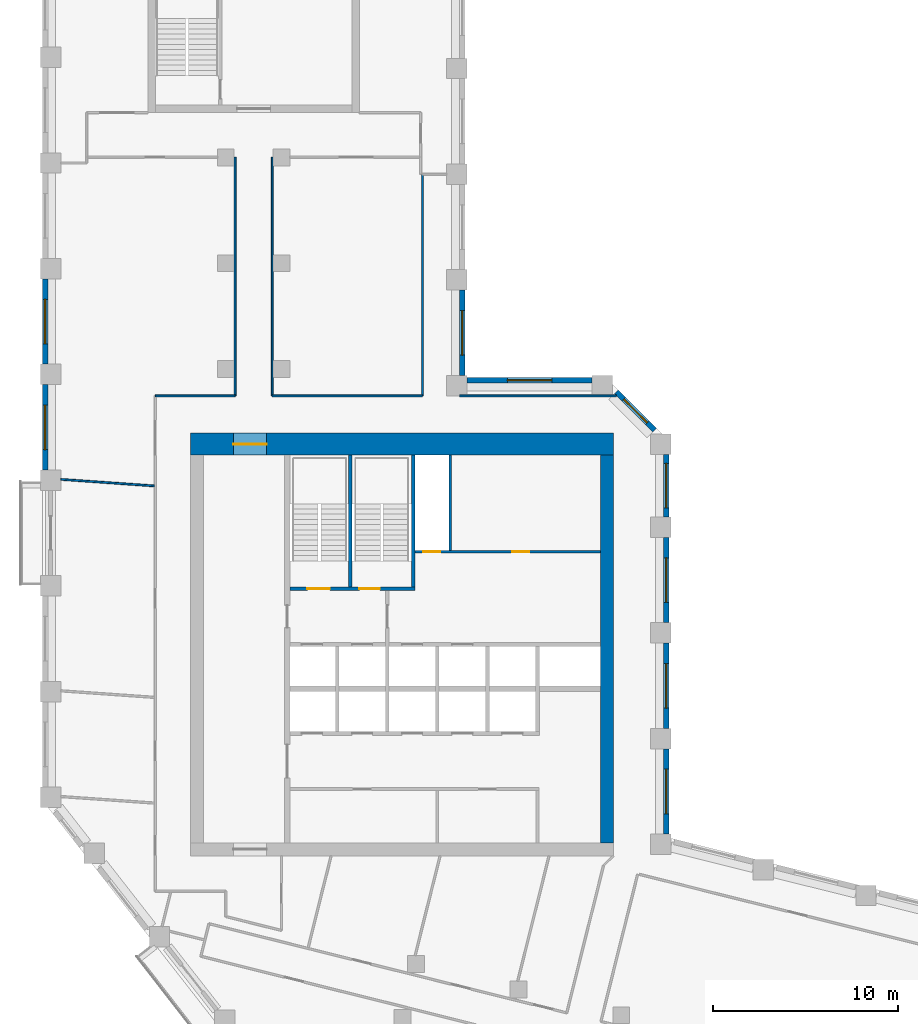
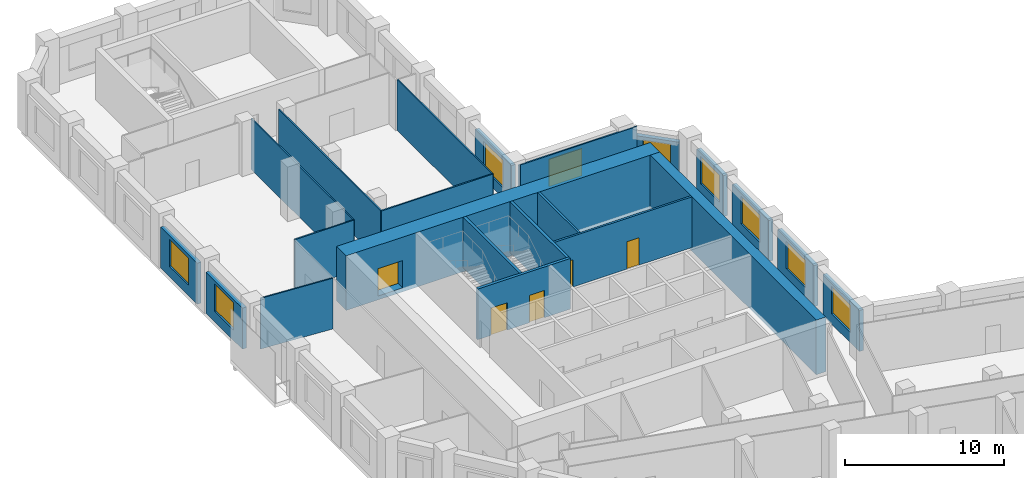
# One storey, part 6 of 10: 23 walls, 9 windows, 5 doors, 14 openings.
"""IFC4 building model written with IfcOpenShell, lengths in metres."""

from ifc_helpers import new_model, si_unit, direction, frame, frame_2d, origin, place, context, subcontext, project, spatial, rectangle, extrude, material, layer, layer_set, type_object, element, fill, save


model = new_model("IFC4")

# Units and contexts
model_context = context("Model", 3, precision=1e-05, world=origin(), true_north=direction((0.0, 1.0)))
body_context = subcontext(model_context, "Body", "Model", "MODEL_VIEW")
ifc_project = project(units=[si_unit("LENGTHUNIT", "METRE"), si_unit("AREAUNIT", "SQUARE_METRE"), si_unit("VOLUMEUNIT", "CUBIC_METRE"), si_unit("PLANEANGLEUNIT", "RADIAN"), si_unit("MASSUNIT", "GRAM", prefix="KILO")], contexts=[model_context])

# Site, building, storey
site_placement = place(None, origin())
site = spatial("IfcSite", under=ifc_project, at=site_placement, CompositionType="ELEMENT")
building_placement = place(site_placement, origin())
building = spatial("IfcBuilding", under=site, at=building_placement, Name="Meshkara Civic Tower", CompositionType="ELEMENT")
storey_placement = place(building_placement, frame((0.0, 0.0, 271.800048828125)))
storey = spatial("IfcBuildingStorey", under=building, at=storey_placement, Name="L62", CompositionType="ELEMENT", Elevation=271.800048828125)

# Wall, openings, doors
ifc_material_1 = material(Name="Blockwork", Category="masonry")
ifc_layer_1 = layer(ifc_material_1, 0.14990234375)
ifc_layer_set_1 = layer_set([ifc_layer_1], Name="Core partition 150")
wall_type_1 = type_object("IfcWallType", Name="Core partition 150", PredefinedType="PARTITIONING", material=ifc_layer_set_1)
wall_1_placement = place(storey_placement, frame((20.10009765625, 30.5, 0.0), z_axis=(0.0, 0.0, 1.0), x_axis=(1.0, 0.0, 0.0)))
wall_1 = element("IfcWall", 1, at=wall_1_placement, inside=storey, type_object=wall_type_1, Name="L62-C010", PredefinedType="PARTITIONING", context=body_context, shape_type="SweptSolid", body=[
    extrude(rectangle(XDim=10.0, YDim=0.14990234375, at=frame_2d((5.0, 0.0))), origin(), (0.0, 0.0, 1.0), 3.89990234375),
])
opening_1_placement = place(wall_1_placement, frame((0.449951171875, 0.0, 0.0)))
opening_1 = element("IfcOpeningElement", 2, at=opening_1_placement, cuts=wall_1, Name="Opening L62-K012", PredefinedType="OPENING", context=body_context, shape_type="SweptSolid", body=[
    extrude(rectangle(XDim=0.89990234375, YDim=2.10009765625, at=frame_2d((0.449951171875, 1.050048828125))), frame((0.0, 0.0849609375, 0.0), z_axis=(0.0, -1.0, 0.0), x_axis=(1.0, 0.0, 0.0)), (0.0, 0.0, 1.0), 0.169921875),
])
opening_2_placement = place(wall_1_placement, frame((5.25, 0.0, 0.0)))
opening_2 = element("IfcOpeningElement", 3, at=opening_2_placement, cuts=wall_1, Name="Opening L62-K013", PredefinedType="OPENING", context=body_context, shape_type="SweptSolid", body=[
    extrude(rectangle(XDim=0.89990234375, YDim=2.10009765625, at=frame_2d((0.449951171875, 1.050048828125))), frame((0.0, 0.0849609375, 0.0), z_axis=(0.0, -1.0, 0.0), x_axis=(1.0, 0.0, 0.0)), (0.0, 0.0, 1.0), 0.169921875),
])
ifc_material_2 = material(Name="Timber door leaf in steel frame", Category="steel")
door_type_1 = type_object("IfcDoorType", Name="Core room door 900", OperationType="SINGLE_SWING_LEFT", PredefinedType="DOOR", material=ifc_material_2)
door_1_placement = place(opening_2_placement, origin())
door_1 = element("IfcDoor", 4, at=door_1_placement, inside=storey, type_object=door_type_1, Name="L62-K013", OperationType="SINGLE_SWING_LEFT", OverallHeight=2.10009765625, OverallWidth=0.89990234375, PredefinedType="DOOR", context=body_context, shape_type="SweptSolid", body=[
    extrude(rectangle(XDim=0.89990234375, YDim=2.10009765625, at=frame_2d((0.449951171875, 1.050048828125))), frame((0.0, 0.02490234375, 0.0), z_axis=(0.0, -1.0, 0.0), x_axis=(1.0, 0.0, 0.0)), (0.0, 0.0, 1.0), 0.050048828125),
])
fill(opening_2, door_1)
ifc_material_3 = material(Name="Fire-rated door leaf in steel frame", Category="steel")
door_type_2 = type_object("IfcDoorType", Name="Riser door 900", OperationType="SINGLE_SWING_LEFT", PredefinedType="DOOR", material=ifc_material_3)
door_2_placement = place(opening_1_placement, origin())
door_2 = element("IfcDoor", 5, at=door_2_placement, inside=storey, type_object=door_type_2, Name="L62-K012", OperationType="SINGLE_SWING_RIGHT", OverallHeight=2.10009765625, OverallWidth=0.89990234375, PredefinedType="DOOR", context=body_context, shape_type="SweptSolid", body=[
    extrude(rectangle(XDim=0.89990234375, YDim=2.10009765625, at=frame_2d((0.449951171875, 1.050048828125))), frame((0.0, 0.02490234375, 0.0), z_axis=(0.0, -1.0, 0.0), x_axis=(1.0, 0.0, 0.0)), (0.0, 0.0, 1.0), 0.050048828125),
])
fill(opening_1, door_2)

# Wall
wall_2_placement = place(storey_placement, frame((22.0, 30.574951171875, 0.0), z_axis=(0.0, 0.0, 1.0), x_axis=(0.0, 1.0, 0.0)))
element("IfcWall", 6, at=wall_2_placement, inside=storey, type_object=wall_type_1, Name="L62-C018", PredefinedType="PARTITIONING", context=body_context, shape_type="SweptSolid", body=[
    extrude(rectangle(XDim=5.125, YDim=0.14990234375, at=frame_2d((2.5625, 0.0))), origin(), (0.0, 0.0, 1.0), 3.89990234375),
])

# Wall, opening, door
ifc_material_4 = material(Name="Concrete C60", Category="concrete")
ifc_layer_2 = layer(ifc_material_4, 1.199951171875)
ifc_layer_set_2 = layer_set([ifc_layer_2], Name="Core ring wall 1200 C60")
wall_type_2 = type_object("IfcWallType", Name="Core ring wall 1200 C60", PredefinedType="SHEAR", material=ifc_layer_set_2)
wall_3_placement = place(storey_placement, frame((8.0, 36.300048828125, -0.300048828125), z_axis=(0.0, 0.0, 1.0), x_axis=(1.0, 0.0, 0.0)))
wall_3 = element("IfcWall", 7, at=wall_3_placement, inside=storey, type_object=wall_type_2, Name="L62-C002", PredefinedType="SHEAR", context=body_context, shape_type="SweptSolid", body=[
    extrude(rectangle(XDim=22.800048828125, YDim=1.199951171875, at=frame_2d((11.39990234375, 0.0))), origin(), (0.0, 0.0, 1.0), 4.199951171875),
])
opening_3_placement = place(wall_3_placement, frame((2.300048828125, 0.0, 0.300048828125)))
opening_3 = element("IfcOpeningElement", 8, at=opening_3_placement, cuts=wall_3, Name="Opening L62-K019", PredefinedType="OPENING", context=body_context, shape_type="SweptSolid", body=[
    extrude(rectangle(XDim=1.800048828125, YDim=2.10009765625, at=frame_2d((0.89990234375, 1.050048828125))), frame((0.0, 0.60986328125, 0.0), z_axis=(0.0, -1.0, 0.0), x_axis=(1.0, 0.0, 0.0)), (0.0, 0.0, 1.0), 1.219970703125),
])
ifc_material_5 = material(Name="Fire-rated door leaf in steel frame", Category="steel")
door_type_3 = type_object("IfcDoorType", Name="Core double door 1800 EI 60", OperationType="DOUBLE_DOOR_SINGLE_SWING", PredefinedType="DOOR", material=ifc_material_5)
door_3_placement = place(opening_3_placement, origin())
door_3 = element("IfcDoor", 9, at=door_3_placement, inside=storey, type_object=door_type_3, Name="L62-K019", OperationType="DOUBLE_DOOR_SINGLE_SWING", OverallHeight=2.10009765625, OverallWidth=1.800048828125, PredefinedType="DOOR", context=body_context, shape_type="SweptSolid", body=[
    extrude(rectangle(XDim=1.800048828125, YDim=2.10009765625, at=frame_2d((0.89990234375, 1.050048828125))), frame((0.0, 0.02490234375, 0.0), z_axis=(0.0, -1.0, 0.0), x_axis=(1.0, 0.0, 0.0)), (0.0, 0.0, 1.0), 0.050048828125),
])
fill(opening_3, door_3)

# Walls
ifc_material_6 = material(Name="Concrete C60", Category="concrete")
ifc_layer_3 = layer(ifc_material_6, 0.699951171875)
ifc_layer_set_3 = layer_set([ifc_layer_3], Name="Core ring wall 700 C60")
wall_type_3 = type_object("IfcWallType", Name="Core ring wall 700 C60", PredefinedType="SHEAR", material=ifc_layer_set_3)
wall_4_placement = place(storey_placement, frame((30.449951171875, 14.800048828125, -0.300048828125), z_axis=(0.0, 0.0, 1.0), x_axis=(0.0, 1.0, 0.0)))
element("IfcWall", 10, at=wall_4_placement, inside=storey, type_object=wall_type_3, Name="L62-C004", PredefinedType="SHEAR", context=body_context, shape_type="SweptSolid", body=[
    extrude(rectangle(XDim=20.89990234375, YDim=0.699951171875, at=frame_2d((10.449951171875, 0.0))), origin(), (0.0, 0.0, 1.0), 4.199951171875),
])
ifc_material_7 = material(Name="Corridor wall 100")
ifc_layer_4 = layer(ifc_material_7, 0.10009765625)
ifc_layer_set_4 = layer_set([ifc_layer_4], Name="Corridor wall 100")
wall_type_4 = type_object("IfcWallType", Name="Corridor wall 100", PredefinedType="PARTITIONING", material=ifc_layer_set_4)
wall_5_placement = place(storey_placement, frame((10.39990234375, 38.89990234375, 0.0), z_axis=(0.0, 0.0, 1.0), x_axis=(-1.0, 0.0, 0.0)))
element("IfcWall", 11, at=wall_5_placement, inside=storey, type_object=wall_type_4, Name="L62-W011", PredefinedType="PARTITIONING", context=body_context, shape_type="SweptSolid", body=[
    extrude(rectangle(XDim=4.2998046875, YDim=0.10009765625, at=frame_2d((2.14990234375, 0.0))), origin(), (0.0, 0.0, 1.0), 3.89990234375),
])
for number, where, z_axis, x_axis, name in (
    (12, (10.39990234375, 51.77001953125, 0.0), (0.0, 0.0, 1.0), (0.0, -1.0, 0.0), "L62-W012"),
    (13, (12.39990234375, 38.89990234375, 0.0), (0.0, 0.0, 1.0), (0.0, 1.0, 0.0), "L62-W013"),
):
    element("IfcWall", number, at=place(storey_placement, frame(where, z_axis=z_axis, x_axis=x_axis)), inside=storey, type_object=wall_type_4, Name=name, PredefinedType="PARTITIONING", context=body_context, shape_type="SweptSolid", body=[
        extrude(rectangle(XDim=12.8701171875, YDim=0.10009765625, at=frame_2d((6.43505859375, 0.0))), origin(), (0.0, 0.0, 1.0), 3.89990234375),
    ])
wall_6_placement = place(storey_placement, frame((20.5, 38.89990234375, 0.0), z_axis=(0.0, 0.0, 1.0), x_axis=(-1.0, 0.0, 0.0)))
element("IfcWall", 14, at=wall_6_placement, inside=storey, type_object=wall_type_4, Name="L62-W018", PredefinedType="PARTITIONING", context=body_context, shape_type="SweptSolid", body=[
    extrude(rectangle(XDim=8.10009765625, YDim=0.10009765625, at=frame_2d((4.050048828125, 0.0))), origin(), (0.0, 0.0, 1.0), 3.89990234375),
])
wall_7_placement = place(storey_placement, frame((20.5, 50.85009765625, 0.0), z_axis=(0.0, 0.0, 1.0), x_axis=(0.0, -1.0, 0.0)))
element("IfcWall", 15, at=wall_7_placement, inside=storey, type_object=wall_type_4, Name="L62-W019", PredefinedType="PARTITIONING", context=body_context, shape_type="SweptSolid", body=[
    extrude(rectangle(XDim=11.9501953125, YDim=0.10009765625, at=frame_2d((5.97509765625, 0.0))), origin(), (0.0, 0.0, 1.0), 3.89990234375),
])
wall_8_placement = place(storey_placement, frame((30.9560546875, 38.89990234375, 0.0), z_axis=(0.0, 0.0, 1.0), x_axis=(-1.0, 0.0, 0.0)))
element("IfcWall", 16, at=wall_8_placement, inside=storey, type_object=wall_type_4, Name="L62-W025", PredefinedType="PARTITIONING", context=body_context, shape_type="SweptSolid", body=[
    extrude(rectangle(XDim=8.4560546875, YDim=0.10009765625, at=frame_2d((4.22802734375, 0.0))), origin(), (0.0, 0.0, 1.0), 3.89990234375),
])

# Wall, opening, window
ifc_material_8 = material(Name="Insulated infill panel with bronze anodised aluminium cladding", Category="aluminium")
ifc_layer_5 = layer(ifc_material_8, 0.300048828125)
ifc_layer_set_5 = layer_set([ifc_layer_5], Name="EXTERNAL INFILL WALL 300")
wall_type_5 = type_object("IfcWallType", Name="EXTERNAL INFILL WALL 300", PredefinedType="SOLIDWALL", material=ifc_layer_set_5)
wall_9_placement = place(storey_placement, frame((33.64990234375, 15.26904296875, 0.0), z_axis=(0.0, 0.0, 1.0), x_axis=(0.0, 1.0, 0.0)))
wall_9 = element("IfcWall", 17, at=wall_9_placement, inside=storey, type_object=wall_type_5, Name="External wall", PredefinedType="SOLIDWALL", context=body_context, shape_type="SweptSolid", body=[
    extrude(rectangle(XDim=4.599853515625, YDim=0.300048828125, at=frame_2d((2.2998046875, 0.0))), origin(), (0.0, 0.0, 1.0), 3.14990234375),
])
opening_4_placement = place(wall_9_placement, frame((1.10009765625, 0.0, 0.800048828125)))
opening_4 = element("IfcOpeningElement", 18, at=opening_4_placement, cuts=wall_9, Name="Opening W7", PredefinedType="OPENING", context=body_context, shape_type="SweptSolid", body=[
    extrude(rectangle(XDim=2.39990234375, YDim=2.10009765625, at=frame_2d((1.199951171875, 1.050048828125))), frame((0.0, 0.159912109375, 0.0), z_axis=(0.0, -1.0, 0.0), x_axis=(1.0, 0.0, 0.0)), (0.0, 0.0, 1.0), 0.320068359375),
])
ifc_material_9 = material(Name="Tinted double glazing", Category="glass")
window_type_1 = type_object("IfcWindowType", Name="WINDOW 2400x2100", PartitioningType="DOUBLE_PANEL_VERTICAL", PredefinedType="WINDOW", material=ifc_material_9)
window_1_placement = place(opening_4_placement, origin())
window_1 = element("IfcWindow", 19, at=window_1_placement, inside=storey, type_object=window_type_1, Name="Window", OverallHeight=2.10009765625, OverallWidth=2.39990234375, PartitioningType="DOUBLE_PANEL_VERTICAL", PredefinedType="WINDOW", context=body_context, shape_type="SweptSolid", body=[
    extrude(rectangle(XDim=2.39990234375, YDim=2.10009765625, at=frame_2d((1.199951171875, 1.050048828125))), frame((0.0, 0.030029296875, 0.0), z_axis=(0.0, -1.0, 0.0), x_axis=(1.0, 0.0, 0.0)), (0.0, 0.0, 1.0), 0.06005859375),
])
fill(opening_4, window_1)

wall_10_placement = place(storey_placement, frame((33.64990234375, 20.968994140625, 0.0), z_axis=(0.0, 0.0, 1.0), x_axis=(0.0, 1.0, 0.0)))
wall_10 = element("IfcWall", 20, at=wall_10_placement, inside=storey, type_object=wall_type_5, Name="External wall", PredefinedType="SOLIDWALL", context=body_context, shape_type="SweptSolid", body=[
    extrude(rectangle(XDim=4.60009765625, YDim=0.300048828125, at=frame_2d((2.300048828125, 0.0))), origin(), (0.0, 0.0, 1.0), 3.14990234375),
])
opening_5_placement = place(wall_10_placement, frame((1.10009765625, 0.0, 0.800048828125)))
opening_5 = element("IfcOpeningElement", 21, at=opening_5_placement, cuts=wall_10, Name="Opening W7", PredefinedType="OPENING", context=body_context, shape_type="SweptSolid", body=[
    extrude(rectangle(XDim=2.39990234375, YDim=2.10009765625, at=frame_2d((1.199951171875, 1.050048828125))), frame((0.0, 0.159912109375, 0.0), z_axis=(0.0, -1.0, 0.0), x_axis=(1.0, 0.0, 0.0)), (0.0, 0.0, 1.0), 0.320068359375),
])
window_2_placement = place(opening_5_placement, origin())
window_2 = element("IfcWindow", 22, at=window_2_placement, inside=storey, type_object=window_type_1, Name="Window", OverallHeight=2.10009765625, OverallWidth=2.39990234375, PartitioningType="DOUBLE_PANEL_VERTICAL", PredefinedType="WINDOW", context=body_context, shape_type="SweptSolid", body=[
    extrude(rectangle(XDim=2.39990234375, YDim=2.10009765625, at=frame_2d((1.199951171875, 1.050048828125))), frame((0.0, 0.030029296875, 0.0), z_axis=(0.0, -1.0, 0.0), x_axis=(1.0, 0.0, 0.0)), (0.0, 0.0, 1.0), 0.06005859375),
])
fill(opening_5, window_2)

wall_11_placement = place(storey_placement, frame((33.64990234375, 26.6689453125, 0.0), z_axis=(0.0, 0.0, 1.0), x_axis=(0.0, 1.0, 0.0)))
wall_11 = element("IfcWall", 23, at=wall_11_placement, inside=storey, type_object=wall_type_5, Name="External wall", PredefinedType="SOLIDWALL", context=body_context, shape_type="SweptSolid", body=[
    extrude(rectangle(XDim=4.60009765625, YDim=0.300048828125, at=frame_2d((2.300048828125, 0.0))), origin(), (0.0, 0.0, 1.0), 3.14990234375),
])
opening_6_placement = place(wall_11_placement, frame((1.10009765625, 0.0, 0.800048828125)))
opening_6 = element("IfcOpeningElement", 24, at=opening_6_placement, cuts=wall_11, Name="Opening W7", PredefinedType="OPENING", context=body_context, shape_type="SweptSolid", body=[
    extrude(rectangle(XDim=2.39990234375, YDim=2.10009765625, at=frame_2d((1.199951171875, 1.050048828125))), frame((0.0, 0.159912109375, 0.0), z_axis=(0.0, -1.0, 0.0), x_axis=(1.0, 0.0, 0.0)), (0.0, 0.0, 1.0), 0.320068359375),
])
window_3_placement = place(opening_6_placement, origin())
window_3 = element("IfcWindow", 25, at=window_3_placement, inside=storey, type_object=window_type_1, Name="Window", OverallHeight=2.10009765625, OverallWidth=2.39990234375, PartitioningType="DOUBLE_PANEL_VERTICAL", PredefinedType="WINDOW", context=body_context, shape_type="SweptSolid", body=[
    extrude(rectangle(XDim=2.39990234375, YDim=2.10009765625, at=frame_2d((1.199951171875, 1.050048828125))), frame((0.0, 0.030029296875, 0.0), z_axis=(0.0, -1.0, 0.0), x_axis=(1.0, 0.0, 0.0)), (0.0, 0.0, 1.0), 0.06005859375),
])
fill(opening_6, window_3)

wall_12_placement = place(storey_placement, frame((33.64990234375, 32.368896484375, 0.0), z_axis=(0.0, 0.0, 1.0), x_axis=(0.0, 1.0, 0.0)))
wall_12 = element("IfcWall", 26, at=wall_12_placement, inside=storey, type_object=wall_type_5, Name="External wall", PredefinedType="SOLIDWALL", context=body_context, shape_type="SweptSolid", body=[
    extrude(rectangle(XDim=3.375, YDim=0.300048828125, at=frame_2d((1.6875, 0.0))), origin(), (0.0, 0.0, 1.0), 3.14990234375),
])
opening_7_placement = place(wall_12_placement, frame((0.488037109375, 0.0, 0.800048828125)))
opening_7 = element("IfcOpeningElement", 27, at=opening_7_placement, cuts=wall_12, Name="Opening W7", PredefinedType="OPENING", context=body_context, shape_type="SweptSolid", body=[
    extrude(rectangle(XDim=2.39990234375, YDim=2.10009765625, at=frame_2d((1.199951171875, 1.050048828125))), frame((0.0, 0.159912109375, 0.0), z_axis=(0.0, -1.0, 0.0), x_axis=(1.0, 0.0, 0.0)), (0.0, 0.0, 1.0), 0.320068359375),
])
window_4_placement = place(opening_7_placement, origin())
window_4 = element("IfcWindow", 28, at=window_4_placement, inside=storey, type_object=window_type_1, Name="Window", OverallHeight=2.10009765625, OverallWidth=2.39990234375, PartitioningType="DOUBLE_PANEL_VERTICAL", PredefinedType="WINDOW", context=body_context, shape_type="SweptSolid", body=[
    extrude(rectangle(XDim=2.39990234375, YDim=2.10009765625, at=frame_2d((1.199951171875, 1.050048828125))), frame((0.0, 0.030029296875, 0.0), z_axis=(0.0, -1.0, 0.0), x_axis=(1.0, 0.0, 0.0)), (0.0, 0.0, 1.0), 0.06005859375),
])
fill(opening_7, window_4)

wall_13_placement = place(storey_placement, frame((33.011962890625, 37.055908203125, 0.0), z_axis=(0.0, 0.0, 1.0), x_axis=(-0.707064797706, 0.707148762175, 0.0)))
wall_13 = element("IfcWall", 29, at=wall_13_placement, inside=storey, type_object=wall_type_5, Name="External wall", PredefinedType="SOLIDWALL", context=body_context, shape_type="SweptSolid", body=[
    extrude(rectangle(XDim=2.90771484375, YDim=0.300048828125, at=frame_2d((1.453857421875, 0.0))), origin(), (0.0, 0.0, 1.0), 3.14990234375),
])
opening_8_placement = place(wall_13_placement, frame((0.553955078125, 0.0, 0.800048828125)))
opening_8 = element("IfcOpeningElement", 30, at=opening_8_placement, cuts=wall_13, Name="Opening W9", PredefinedType="OPENING", context=body_context, shape_type="SweptSolid", body=[
    extrude(rectangle(XDim=1.800048828125, YDim=2.10009765625, at=frame_2d((0.89990234375, 1.050048828125))), frame((0.0, 0.159912109375, 0.0), z_axis=(0.0, -1.0, 0.0), x_axis=(1.0, 0.0, 0.0)), (0.0, 0.0, 1.0), 0.320068359375),
])
ifc_material_10 = material(Name="Tinted double glazing", Category="glass")
window_type_2 = type_object("IfcWindowType", Name="WINDOW 1800x2100", PartitioningType="DOUBLE_PANEL_VERTICAL", PredefinedType="WINDOW", material=ifc_material_10)
window_5_placement = place(opening_8_placement, origin())
window_5 = element("IfcWindow", 31, at=window_5_placement, inside=storey, type_object=window_type_2, Name="Window", OverallHeight=2.10009765625, OverallWidth=1.800048828125, PartitioningType="DOUBLE_PANEL_VERTICAL", PredefinedType="WINDOW", context=body_context, shape_type="SweptSolid", body=[
    extrude(rectangle(XDim=1.800048828125, YDim=2.10009765625, at=frame_2d((0.89990234375, 1.050048828125))), frame((0.0, 0.030029296875, 0.0), z_axis=(0.0, -1.0, 0.0), x_axis=(1.0, 0.0, 0.0)), (0.0, 0.0, 1.0), 0.06005859375),
])
fill(opening_8, window_5)

wall_14_placement = place(storey_placement, frame((29.64404296875, 39.75, 0.0), z_axis=(0.0, 0.0, 1.0), x_axis=(-1.0, 0.0, 0.0)))
wall_14 = element("IfcWall", 32, at=wall_14_placement, inside=storey, type_object=wall_type_5, Name="External wall", PredefinedType="SOLIDWALL", context=body_context, shape_type="SweptSolid", body=[
    extrude(rectangle(XDim=6.744140625, YDim=0.300048828125, at=frame_2d((3.3720703125, 0.0))), origin(), (0.0, 0.0, 1.0), 3.14990234375),
])
opening_9_placement = place(wall_14_placement, frame((2.172119140625, 0.0, 0.800048828125)))
opening_9 = element("IfcOpeningElement", 33, at=opening_9_placement, cuts=wall_14, Name="Opening W7", PredefinedType="OPENING", context=body_context, shape_type="SweptSolid", body=[
    extrude(rectangle(XDim=2.39990234375, YDim=2.10009765625, at=frame_2d((1.199951171875, 1.050048828125))), frame((0.0, 0.159912109375, 0.0), z_axis=(0.0, -1.0, 0.0), x_axis=(1.0, 0.0, 0.0)), (0.0, 0.0, 1.0), 0.320068359375),
])
window_6_placement = place(opening_9_placement, origin())
window_6 = element("IfcWindow", 34, at=window_6_placement, inside=storey, type_object=window_type_1, Name="Window", OverallHeight=2.10009765625, OverallWidth=2.39990234375, PartitioningType="DOUBLE_PANEL_VERTICAL", PredefinedType="WINDOW", context=body_context, shape_type="SweptSolid", body=[
    extrude(rectangle(XDim=2.39990234375, YDim=2.10009765625, at=frame_2d((1.199951171875, 1.050048828125))), frame((0.0, 0.030029296875, 0.0), z_axis=(0.0, -1.0, 0.0), x_axis=(1.0, 0.0, 0.0)), (0.0, 0.0, 1.0), 0.06005859375),
])
fill(opening_9, window_6)

wall_15_placement = place(storey_placement, frame((22.64990234375, 40.0, 0.0), z_axis=(0.0, 0.0, 1.0), x_axis=(0.0, 1.0, 0.0)))
wall_15 = element("IfcWall", 35, at=wall_15_placement, inside=storey, type_object=wall_type_5, Name="External wall", PredefinedType="SOLIDWALL", context=body_context, shape_type="SweptSolid", body=[
    extrude(rectangle(XDim=4.60009765625, YDim=0.300048828125, at=frame_2d((2.300048828125, 0.0))), origin(), (0.0, 0.0, 1.0), 3.14990234375),
])
opening_10_placement = place(wall_15_placement, frame((1.10009765625, 0.0, 0.800048828125)))
opening_10 = element("IfcOpeningElement", 36, at=opening_10_placement, cuts=wall_15, Name="Opening W7", PredefinedType="OPENING", context=body_context, shape_type="SweptSolid", body=[
    extrude(rectangle(XDim=2.39990234375, YDim=2.10009765625, at=frame_2d((1.199951171875, 1.050048828125))), frame((0.0, 0.159912109375, 0.0), z_axis=(0.0, -1.0, 0.0), x_axis=(1.0, 0.0, 0.0)), (0.0, 0.0, 1.0), 0.320068359375),
])
window_7_placement = place(opening_10_placement, origin())
window_7 = element("IfcWindow", 37, at=window_7_placement, inside=storey, type_object=window_type_1, Name="Window", OverallHeight=2.10009765625, OverallWidth=2.39990234375, PartitioningType="DOUBLE_PANEL_VERTICAL", PredefinedType="WINDOW", context=body_context, shape_type="SweptSolid", body=[
    extrude(rectangle(XDim=2.39990234375, YDim=2.10009765625, at=frame_2d((1.199951171875, 1.050048828125))), frame((0.0, 0.030029296875, 0.0), z_axis=(0.0, -1.0, 0.0), x_axis=(1.0, 0.0, 0.0)), (0.0, 0.0, 1.0), 0.06005859375),
])
fill(opening_10, window_7)

wall_16_placement = place(storey_placement, frame((0.14990234375, 45.205078125, 0.0), z_axis=(0.0, 0.0, 1.0), x_axis=(0.0, -1.0, 0.0)))
wall_16 = element("IfcWall", 38, at=wall_16_placement, inside=storey, type_object=wall_type_5, Name="External wall", PredefinedType="SOLIDWALL", context=body_context, shape_type="SweptSolid", body=[
    extrude(rectangle(XDim=4.60009765625, YDim=0.300048828125, at=frame_2d((2.300048828125, 0.0))), origin(), (0.0, 0.0, 1.0), 3.14990234375),
])
opening_11_placement = place(wall_16_placement, frame((1.10009765625, 0.0, 0.800048828125)))
opening_11 = element("IfcOpeningElement", 39, at=opening_11_placement, cuts=wall_16, Name="Opening W7", PredefinedType="OPENING", context=body_context, shape_type="SweptSolid", body=[
    extrude(rectangle(XDim=2.39990234375, YDim=2.10009765625, at=frame_2d((1.199951171875, 1.050048828125))), frame((0.0, 0.159912109375, 0.0), z_axis=(0.0, -1.0, 0.0), x_axis=(1.0, 0.0, 0.0)), (0.0, 0.0, 1.0), 0.320068359375),
])
window_8_placement = place(opening_11_placement, origin())
window_8 = element("IfcWindow", 40, at=window_8_placement, inside=storey, type_object=window_type_1, Name="Window", OverallHeight=2.10009765625, OverallWidth=2.39990234375, PartitioningType="DOUBLE_PANEL_VERTICAL", PredefinedType="WINDOW", context=body_context, shape_type="SweptSolid", body=[
    extrude(rectangle(XDim=2.39990234375, YDim=2.10009765625, at=frame_2d((1.199951171875, 1.050048828125))), frame((0.0, 0.030029296875, 0.0), z_axis=(0.0, -1.0, 0.0), x_axis=(1.0, 0.0, 0.0)), (0.0, 0.0, 1.0), 0.06005859375),
])
fill(opening_11, window_8)

wall_17_placement = place(storey_placement, frame((0.14990234375, 39.5048828125, 0.0), z_axis=(0.0, 0.0, 1.0), x_axis=(0.0, -1.0, 0.0)))
wall_17 = element("IfcWall", 41, at=wall_17_placement, inside=storey, type_object=wall_type_5, Name="External wall", PredefinedType="SOLIDWALL", context=body_context, shape_type="SweptSolid", body=[
    extrude(rectangle(XDim=4.599853515625, YDim=0.300048828125, at=frame_2d((2.2998046875, 0.0))), origin(), (0.0, 0.0, 1.0), 3.14990234375),
])
opening_12_placement = place(wall_17_placement, frame((1.10009765625, 0.0, 0.800048828125)))
opening_12 = element("IfcOpeningElement", 42, at=opening_12_placement, cuts=wall_17, Name="Opening W7", PredefinedType="OPENING", context=body_context, shape_type="SweptSolid", body=[
    extrude(rectangle(XDim=2.39990234375, YDim=2.10009765625, at=frame_2d((1.199951171875, 1.050048828125))), frame((0.0, 0.159912109375, 0.0), z_axis=(0.0, -1.0, 0.0), x_axis=(1.0, 0.0, 0.0)), (0.0, 0.0, 1.0), 0.320068359375),
])
window_9_placement = place(opening_12_placement, origin())
window_9 = element("IfcWindow", 43, at=window_9_placement, inside=storey, type_object=window_type_1, Name="Window", OverallHeight=2.10009765625, OverallWidth=2.39990234375, PartitioningType="DOUBLE_PANEL_VERTICAL", PredefinedType="WINDOW", context=body_context, shape_type="SweptSolid", body=[
    extrude(rectangle(XDim=2.39990234375, YDim=2.10009765625, at=frame_2d((1.199951171875, 1.050048828125))), frame((0.0, 0.030029296875, 0.0), z_axis=(0.0, -1.0, 0.0), x_axis=(1.0, 0.0, 0.0)), (0.0, 0.0, 1.0), 0.06005859375),
])
fill(opening_12, window_9)

# Wall
ifc_material_11 = material(Name="Partition 100")
ifc_layer_6 = layer(ifc_material_11, 0.10009765625)
ifc_layer_set_6 = layer_set([ifc_layer_6], Name="Partition 100")
wall_type_6 = type_object("IfcWallType", Name="Partition 100", PredefinedType="PARTITIONING", material=ifc_layer_set_6)
wall_18_placement = place(storey_placement, frame((6.047119140625, 34.0439453125, 0.0), z_axis=(0.0, 0.0, 1.0), x_axis=(-0.9975626968, 0.06977582642, 0.0)))
element("IfcWall", 44, at=wall_18_placement, inside=storey, type_object=wall_type_6, Name="L62-W038", PredefinedType="PARTITIONING", context=body_context, shape_type="SweptSolid", body=[
    extrude(rectangle(XDim=5.0595703125, YDim=0.10009765625, at=frame_2d((2.52978515625, 0.0))), origin(), (0.0, 0.0, 1.0), 3.89990234375),
])

# Wall, openings, doors
ifc_material_12 = material(Name="Concrete C40/50", Category="concrete")
ifc_layer_7 = layer(ifc_material_12, 0.199951171875)
ifc_layer_set_7 = layer_set([ifc_layer_7], Name="Stair enclosure wall 200 C40/50")
wall_type_7 = type_object("IfcWallType", Name="Stair enclosure wall 200 C40/50", PredefinedType="SOLIDWALL", material=ifc_layer_set_7)
wall_19_placement = place(storey_placement, frame((13.35009765625, 28.5, 0.0), z_axis=(0.0, 0.0, 1.0), x_axis=(1.0, 0.0, 0.0)))
wall_19 = element("IfcWall", 45, at=wall_19_placement, inside=storey, type_object=wall_type_7, Name="L62-C009", PredefinedType="SOLIDWALL", context=body_context, shape_type="SweptSolid", body=[
    extrude(rectangle(XDim=6.75, YDim=0.199951171875, at=frame_2d((3.375, 0.0))), origin(), (0.0, 0.0, 1.0), 3.89990234375),
])
opening_13_placement = place(wall_19_placement, frame((0.949951171875, 0.0, 0.0)))
opening_13 = element("IfcOpeningElement", 46, at=opening_13_placement, cuts=wall_19, Name="Opening L62-K014", PredefinedType="OPENING", context=body_context, shape_type="SweptSolid", body=[
    extrude(rectangle(XDim=1.199951171875, YDim=2.10009765625, at=frame_2d((0.60009765625, 1.050048828125))), frame((0.0, 0.10986328125, 0.0), z_axis=(0.0, -1.0, 0.0), x_axis=(1.0, 0.0, 0.0)), (0.0, 0.0, 1.0), 0.219970703125),
])
opening_14_placement = place(wall_19_placement, frame((3.75, 0.0, 0.0)))
opening_14 = element("IfcOpeningElement", 47, at=opening_14_placement, cuts=wall_19, Name="Opening L62-K015", PredefinedType="OPENING", context=body_context, shape_type="SweptSolid", body=[
    extrude(rectangle(XDim=1.10009765625, YDim=2.10009765625, at=frame_2d((0.550048828125, 1.050048828125))), frame((0.0, 0.10986328125, 0.0), z_axis=(0.0, -1.0, 0.0), x_axis=(1.0, 0.0, 0.0)), (0.0, 0.0, 1.0), 0.219970703125),
])
ifc_material_13 = material(Name="Fire-rated door leaf in steel frame", Category="steel")
door_type_4 = type_object("IfcDoorType", Name="Stair door 1100 EI 120", OperationType="SINGLE_SWING_LEFT", PredefinedType="DOOR", material=ifc_material_13)
door_4_placement = place(opening_14_placement, origin())
door_4 = element("IfcDoor", 48, at=door_4_placement, inside=storey, type_object=door_type_4, Name="L62-K015", OperationType="SINGLE_SWING_LEFT", OverallHeight=2.10009765625, OverallWidth=1.10009765625, PredefinedType="DOOR", context=body_context, shape_type="SweptSolid", body=[
    extrude(rectangle(XDim=1.10009765625, YDim=2.10009765625, at=frame_2d((0.550048828125, 1.050048828125))), frame((0.0, 0.02490234375, 0.0), z_axis=(0.0, -1.0, 0.0), x_axis=(1.0, 0.0, 0.0)), (0.0, 0.0, 1.0), 0.050048828125),
])
fill(opening_14, door_4)
ifc_material_14 = material(Name="Fire-rated door leaf in steel frame", Category="steel")
door_type_5 = type_object("IfcDoorType", Name="Stair door 1200 EI 120", OperationType="SINGLE_SWING_LEFT", PredefinedType="DOOR", material=ifc_material_14)
door_5_placement = place(opening_13_placement, origin())
door_5 = element("IfcDoor", 49, at=door_5_placement, inside=storey, type_object=door_type_5, Name="L62-K014", OperationType="SINGLE_SWING_RIGHT", OverallHeight=2.10009765625, OverallWidth=1.199951171875, PredefinedType="DOOR", context=body_context, shape_type="SweptSolid", body=[
    extrude(rectangle(XDim=1.199951171875, YDim=2.10009765625, at=frame_2d((0.60009765625, 1.050048828125))), frame((0.0, 0.02490234375, 0.0), z_axis=(0.0, -1.0, 0.0), x_axis=(1.0, 0.0, 0.0)), (0.0, 0.0, 1.0), 0.050048828125),
])
fill(opening_13, door_5)

# Walls
for number, where, z_axis, x_axis, name in (
    (50, (16.60009765625, 28.60009765625, 0.0), (0.0, 0.0, 1.0), (0.0, 1.0, 0.0), "L62-C013"),
    (51, (20.0, 28.60009765625, 0.0), (0.0, 0.0, 1.0), (0.0, 1.0, 0.0), "L62-C015"),
):
    element("IfcWall", number, at=place(storey_placement, frame(where, z_axis=z_axis, x_axis=x_axis)), inside=storey, type_object=wall_type_7, Name=name, PredefinedType="SOLIDWALL", context=body_context, shape_type="SweptSolid", body=[
        extrude(rectangle(XDim=7.099853515625, YDim=0.199951171875, at=frame_2d((3.5498046875, 0.0))), origin(), (0.0, 0.0, 1.0), 3.89990234375),
    ])

save(model, "model.ifc")
